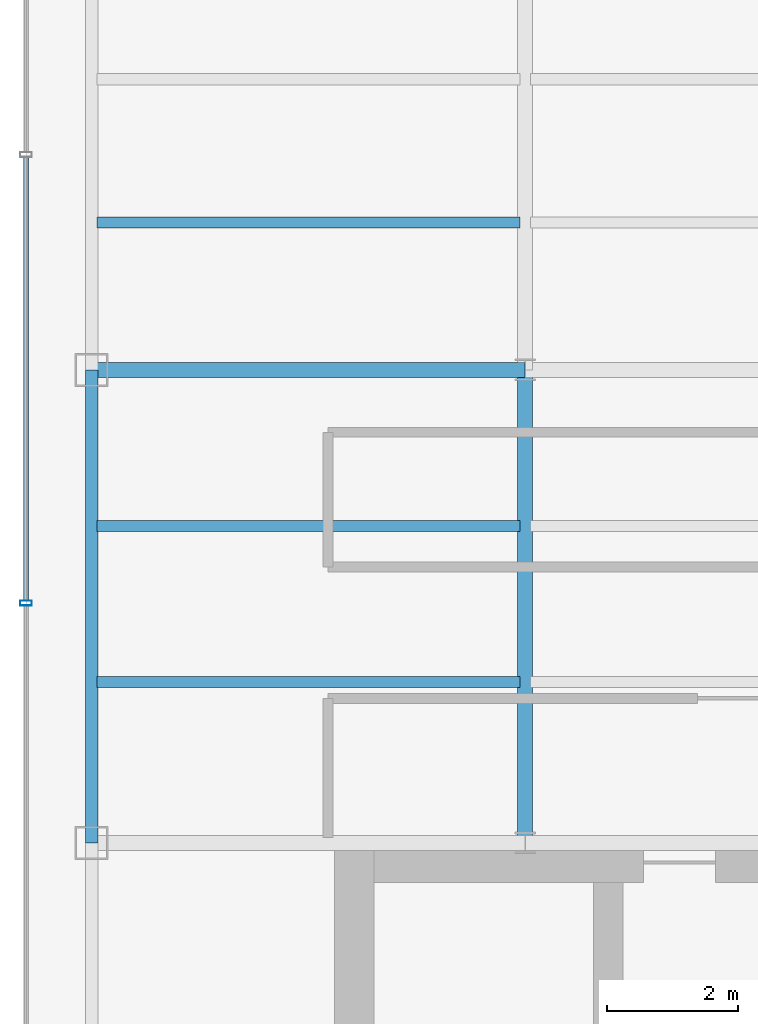
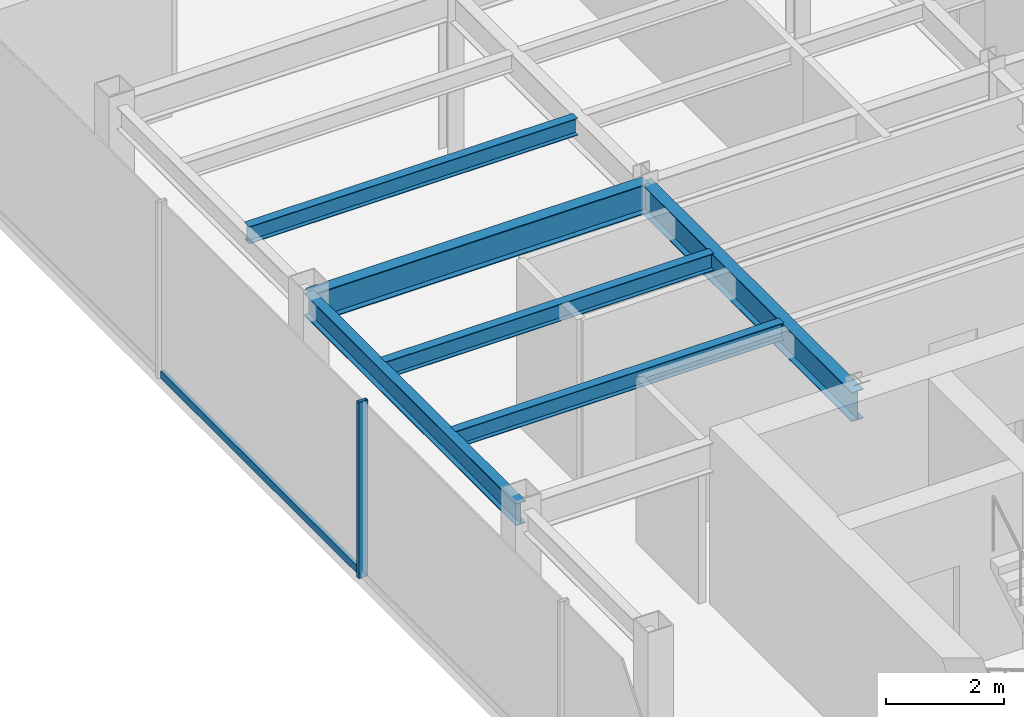
# One storey, part 5 of 22: 6 beams, 2 members, 1 element without a shape of its own.
"""IFC4 building model written with IfcOpenShell, lengths in metres."""

import ifcopenshell
import ifcopenshell.guid

model = None  # the IFC model being written
_history = None  # IfcOwnerHistory: only IFC2X3 demands one
_inside = {}  # id of a spatial element -> (the spatial element, [elements in it])
_under = {}  # id of a project, library or spatial element -> (it, [spatial elements below it])
_declared = {}  # id of a project -> (the project, [libraries it declares])
_typed = {}  # id of a type object -> (the type object, [elements of that type])
_made_of = {}  # id of a material, layer set ... -> (it, [elements and type objects made of it])


def new_model(schema):
    """Start an empty IFC model of exactly this schema.

    Asked for "IFC4X3", IfcOpenShell would pick the latest addendum, in which some entities
    have other attributes; the version numbers below select the first issue.
    IFC2X3 requires an IfcOwnerHistory on every rooted entity: one is made here for all.
    """
    global model, _history
    if schema == "IFC4X3":
        model = ifcopenshell.file(schema_version=(4, 3, 0, 0))
    else:
        model = ifcopenshell.file(schema=schema)
    _inside.clear()
    _under.clear()
    _declared.clear()
    _typed.clear()
    _made_of.clear()
    _history = None
    if model.schema == "IFC2X3":
        org = make("IfcOrganization", Name="unknown")
        user = make(
            "IfcPersonAndOrganization",
            ThePerson=make("IfcPerson", FamilyName="unknown"),
            TheOrganization=org,
        )
        app = make(
            "IfcApplication",
            ApplicationDeveloper=org,
            Version="unknown",
            ApplicationFullName="unknown",
            ApplicationIdentifier="unknown",
        )
        _history = make(
            "IfcOwnerHistory",
            OwningUser=user,
            OwningApplication=app,
            ChangeAction="ADDED",
            CreationDate=0,
        )
    return model


def make(cls, **values):
    """One entity of the class cls with the attributes given. An attribute that is None is left unset."""
    return model.create_entity(
        cls, **{name: value for name, value in values.items() if value is not None}
    )


def rooted(cls, **values):
    """An entity with a GlobalId (a new one), such as an element, a storey or a relation."""
    return make(cls, GlobalId=ifcopenshell.guid.new(), OwnerHistory=_history, **values)


def si_unit(unit_type, name, prefix=None):
    """IfcSIUnit, for example si_unit("LENGTHUNIT", "METRE", prefix="MILLI")."""
    return make("IfcSIUnit", UnitType=unit_type, Prefix=prefix, Name=name)


def derived_unit(unit_type, elements):
    """IfcDerivedUnit: a product of units, each with its exponent."""
    return make(
        "IfcDerivedUnit",
        Elements=[
            make("IfcDerivedUnitElement", Unit=unit, Exponent=power)
            for unit, power in elements
        ],
        UnitType=unit_type,
    )


def assignment(units):
    """IfcUnitAssignment: the units of a project."""
    return None if units is None else make("IfcUnitAssignment", Units=units)


def point(xyz):
    """IfcCartesianPoint."""
    return None if xyz is None else make("IfcCartesianPoint", Coordinates=xyz)


def direction(xyz):
    """IfcDirection."""
    return None if xyz is None else make("IfcDirection", DirectionRatios=xyz)


def frame(location, z_axis=None, x_axis=None):
    """IfcAxis2Placement3D, a coordinate frame: its origin and axes. An axis left out is left unset."""
    return make(
        "IfcAxis2Placement3D",
        Location=point(location),
        Axis=direction(z_axis),
        RefDirection=direction(x_axis),
    )


def frame_2d(location, x_axis=None):
    """IfcAxis2Placement2D, a coordinate frame in the plane: its origin and x axis."""
    return make(
        "IfcAxis2Placement2D", Location=point(location), RefDirection=direction(x_axis)
    )


def origin():
    """The frame at (0, 0, 0) with its axes left unset."""
    return frame((0.0, 0.0, 0.0))


def origin_2d():
    """The frame at (0, 0) in the plane with its x axis left unset."""
    return frame_2d((0.0, 0.0))


def place(relative_to, where):
    """IfcLocalPlacement: puts the frame where relative to a parent placement (None: the world)."""
    return make(
        "IfcLocalPlacement", PlacementRelTo=relative_to, RelativePlacement=where
    )


def context(
    kind, dimensions, precision=None, world=None, true_north=None, identifier=None
):
    """IfcGeometricRepresentationContext, for example the 3D "Model" context."""
    return make(
        "IfcGeometricRepresentationContext",
        ContextIdentifier=identifier,
        ContextType=kind,
        CoordinateSpaceDimension=dimensions,
        Precision=precision,
        WorldCoordinateSystem=world,
        TrueNorth=true_north,
    )


def subcontext(parent, identifier, kind, view, scale=None):
    """IfcGeometricRepresentationSubContext, for example "Body" below "Model"."""
    return make(
        "IfcGeometricRepresentationSubContext",
        ContextIdentifier=identifier,
        ContextType=kind,
        ParentContext=parent,
        TargetScale=scale,
        TargetView=view,
    )


def project(units=None, contexts=None):
    """IfcProject with its units and contexts."""
    return rooted(
        "IfcProject",
        Name="project",
        RepresentationContexts=contexts,
        UnitsInContext=assignment(units),
    )


def spatial(cls, under=None, at=None, **own):
    """A site, building, storey or space (cls), placed at a placement, below another one or the project."""
    s = rooted(cls, ObjectPlacement=at, **own)
    if under is not None:
        _under.setdefault(under.id(), (under, []))[1].append(s)
    return s


def profile(cls, at=None, kind="AREA", **sizes):
    """A parametric profile (cls). Its sizes go by their IFC names, for example OverallWidth=200.0."""
    return make(cls, ProfileType=kind, Position=at, **sizes)


def hollow_rectangle(**sizes):
    """IfcRectangleHollowProfileDef."""
    return profile("IfcRectangleHollowProfileDef", **sizes)


def i_section(**sizes):
    """IfcIShapeProfileDef."""
    return profile("IfcIShapeProfileDef", **sizes)


def extrude(swept, where, along, depth):
    """IfcExtrudedAreaSolid: the profile swept, set in the frame where, extruded along a direction by depth."""
    return make(
        "IfcExtrudedAreaSolid",
        SweptArea=swept,
        Position=where,
        ExtrudedDirection=direction(along),
        Depth=depth,
    )


def shape(context_of_items, identifier, shape_type, items):
    """IfcShapeRepresentation: the items that make up one representation, for example the "Body"."""
    return make(
        "IfcShapeRepresentation",
        ContextOfItems=context_of_items,
        RepresentationIdentifier=identifier,
        RepresentationType=shape_type,
        Items=items,
    )


def source(mapping_origin, context_of_items, identifier, shape_type, items):
    """IfcRepresentationMap: a shape defined once, which mapped items show again and again."""
    return make(
        "IfcRepresentationMap",
        MappingOrigin=mapping_origin,
        MappedRepresentation=shape(context_of_items, identifier, shape_type, items),
    )


def transform(
    local_origin,
    x_axis=None,
    y_axis=None,
    z_axis=None,
    scale=None,
    scale2=None,
    scale3=None,
    uniform=True,
):
    """IfcCartesianTransformationOperator3D, or its non-uniform kind. x_axis, y_axis, z_axis: its Axis1, 2, 3."""
    if uniform:
        return make(
            "IfcCartesianTransformationOperator3D",
            Axis1=direction(x_axis),
            Axis2=direction(y_axis),
            LocalOrigin=point(local_origin),
            Scale=scale,
            Axis3=direction(z_axis),
        )
    return make(
        "IfcCartesianTransformationOperator3DnonUniform",
        Axis1=direction(x_axis),
        Axis2=direction(y_axis),
        LocalOrigin=point(local_origin),
        Scale=scale,
        Axis3=direction(z_axis),
        Scale2=scale2,
        Scale3=scale3,
    )


def mapped(mapping_source, mapping_target):
    """IfcMappedItem: shows the shape of a source again, moved by a transform."""
    return make(
        "IfcMappedItem", MappingSource=mapping_source, MappingTarget=mapping_target
    )


def material(Name=None, Category=None):
    """IfcMaterial."""
    return make("IfcMaterial", Name=Name, Category=Category)


def material_profile(
    of_material, cross_section, Name=None, Category=None, Priority=None
):
    """IfcMaterialProfile: a cross section and its material."""
    return make(
        "IfcMaterialProfile",
        Name=Name,
        Material=of_material,
        Profile=cross_section,
        Priority=Priority,
        Category=Category,
    )


def profile_set(profiles, Name=None, composite=None):
    """IfcMaterialProfileSet."""
    return make(
        "IfcMaterialProfileSet",
        Name=Name,
        MaterialProfiles=profiles,
        CompositeProfile=composite,
    )


def made_of(thing, what):
    """Note that an element or type object is made of a material, layer set ...; save() writes the relation."""
    if what is not None:
        _made_of.setdefault(what.id(), (what, []))[1].append(thing)
    return thing


def type_object(cls, material=None, **own):
    """A type object (cls), such as IfcWallType, which elements share."""
    return made_of(rooted(cls, **own), material)


def element(
    cls,
    number,
    at=None,
    inside=None,
    cuts=None,
    type_object=None,
    material=None,
    context=None,
    identifier="Body",
    shape_type=None,
    held_by="IfcProductDefinitionShape",
    body=None,
    shapes=None,
    **own,
):
    """One element of the class cls, such as IfcWall. Its Tag is "e" and its number.

    at: its placement. inside: the storey or other place that contains it. cuts: it is an
    opening in that element (IfcRelVoidsElement). A single representation is given by context,
    identifier, shape_type and body (its items); several are given by shapes. held_by: the class
    of the entity that holds the representations. save() writes the other relations.
    """
    e = rooted(cls, Tag="e%d" % number, ObjectPlacement=at, **own)
    if body is not None:
        shapes = [shape(context, identifier, shape_type, body)]
    if shapes is not None:
        e.Representation = make(held_by, Representations=shapes)
    if inside is not None:
        _inside.setdefault(inside.id(), (inside, []))[1].append(e)
    if cuts is not None:
        rooted(
            "IfcRelVoidsElement", RelatingBuildingElement=cuts, RelatedOpeningElement=e
        )
    if type_object is not None:
        _typed.setdefault(type_object.id(), (type_object, []))[1].append(e)
    return made_of(e, material)


def aggregate(whole, parts):
    """IfcRelAggregates: a whole, such as a stair, and the parts it consists of."""
    return rooted("IfcRelAggregates", RelatingObject=whole, RelatedObjects=parts)


def save(model, path):
    """Write the relations noted so far, then the file.

    IfcRelAggregates (storeys below a building ...), IfcRelContainedInSpatialStructure (elements
    in a storey), IfcRelDefinesByType, IfcRelAssociatesMaterial and IfcRelDeclares: one each for
    every whole, place, type object, material and project.
    """
    for whole, parts in _under.values():
        aggregate(whole, parts)
    for where, things in _inside.values():
        rooted(
            "IfcRelContainedInSpatialStructure",
            RelatedElements=things,
            RelatingStructure=where,
        )
    for kind, things in _typed.values():
        rooted("IfcRelDefinesByType", RelatedObjects=things, RelatingType=kind)
    for what, things in _made_of.values():
        rooted("IfcRelAssociatesMaterial", RelatedObjects=things, RelatingMaterial=what)
    for by, libraries in _declared.values():
        rooted("IfcRelDeclares", RelatingContext=by, RelatedDefinitions=libraries)
    model.write(path)


model = new_model("IFC4")

# Units and contexts
model_context = context("Model", 3, precision=1e-05, world=origin(), true_north=direction((0.0, 1.0)))
body_context = subcontext(model_context, "Body", "Model", "MODEL_VIEW")
ifc_project = project(units=[si_unit("LENGTHUNIT", "METRE"), si_unit("AREAUNIT", "SQUARE_METRE"), si_unit("VOLUMEUNIT", "CUBIC_METRE"), si_unit("PLANEANGLEUNIT", "RADIAN"), si_unit("MASSUNIT", "GRAM", prefix="KILO"), derived_unit("THERMALTRANSMITTANCEUNIT", [(si_unit("POWERUNIT", "WATT"), 1), (si_unit("LENGTHUNIT", "METRE"), -2), (si_unit("THERMODYNAMICTEMPERATUREUNIT", "KELVIN"), -1)])], contexts=[model_context])

# Site, building, storey
site_placement = place(None, origin())
site = spatial("IfcSite", under=ifc_project, at=site_placement, CompositionType="ELEMENT")
building_placement = place(site_placement, origin())
building = spatial("IfcBuilding", under=site, at=building_placement, Name="Skarnbrae Concourse Arena and Tower", CompositionType="ELEMENT")
storey_placement = place(building_placement, frame((0.0, 0.0, 228.75)))
storey = spatial("IfcBuildingStorey", under=building, at=storey_placement, Name="L59", CompositionType="ELEMENT", Elevation=228.75)

# Beams
ifc_material_1 = material(Name="Steel CSA G40.21 350W", Category="steel")
ifc_material_profile_1 = material_profile(ifc_material_1, i_section(OverallWidth=0.22802734375, OverallDepth=0.60791015625, WebThickness=0.01123046875, FlangeThickness=0.017333984375, at=origin_2d()), Name="W610X113")
ifc_profile_set_1 = profile_set([ifc_material_profile_1], Name="Steel CSA G40.21 350W")
beam_type_1 = type_object("IfcBeamType", Name="BM-GIRD-W610X113", PredefinedType="BEAM", material=ifc_profile_set_1)
shared_shape_1 = source(origin(), body_context, "Body", "SweptSolid", [
    extrude(i_section(OverallWidth=0.22802734375, OverallDepth=0.60791015625, WebThickness=0.01123046875, FlangeThickness=0.017333984375, at=origin_2d()), origin(), (0.0, 0.0, 1.0), 6.60009765625),
])
beam_1_placement = place(storey_placement, frame((1.0, 21.199951171875, 3.095947265625), z_axis=(1.0, 0.0, 0.0), x_axis=(0.0, 1.0, 0.0)))
element("IfcBeam", 1, at=beam_1_placement, inside=storey, type_object=beam_type_1, Name="L59 Primary E-W girder Y21.2-1", PredefinedType="BEAM", context=body_context, shape_type="MappedRepresentation", body=[
    mapped(shared_shape_1, transform((0.0, 0.0, 0.0))),
])
ifc_material_profile_2 = material_profile(ifc_material_1, i_section(OverallWidth=0.19091796875, OverallDepth=0.4599609375, WebThickness=0.010009765625, FlangeThickness=0.01611328125, at=origin_2d()), Name="W460X82")
ifc_profile_set_2 = profile_set([ifc_material_profile_2], Name="Steel CSA G40.21 350W")
beam_type_2 = type_object("IfcBeamType", Name="BM-SPAN-W460X82", PredefinedType="SPANDREL", material=ifc_profile_set_2)
shared_shape_2 = source(origin(), body_context, "Body", "SweptSolid", [
    extrude(i_section(OverallWidth=0.19091796875, OverallDepth=0.4599609375, WebThickness=0.010009765625, FlangeThickness=0.01611328125, at=origin_2d()), origin(), (0.0, 0.0, 1.0), 7.199951171875),
])
beam_2_placement = place(storey_placement, frame((1.0, 14.0, 3.169921875), z_axis=(0.0, 1.0, 0.0), x_axis=(-1.0, 0.0, 0.0)))
element("IfcBeam", 2, at=beam_2_placement, inside=storey, type_object=beam_type_2, Name="L59 Perimeter spandrel X1.0-2", PredefinedType="SPANDREL", context=body_context, shape_type="MappedRepresentation", body=[
    mapped(shared_shape_2, transform((0.0, 0.0, 0.0))),
])
shared_shape_3 = source(origin(), body_context, "Body", "SweptSolid", [
    extrude(i_section(OverallWidth=0.22802734375, OverallDepth=0.60791015625, WebThickness=0.01123046875, FlangeThickness=0.017333984375, at=origin_2d()), origin(), (0.0, 0.0, 1.0), 7.199951171875),
])
beam_3_placement = place(storey_placement, frame((7.60009765625, 14.0, 3.095947265625), z_axis=(0.0, 1.0, 0.0), x_axis=(-1.0, 0.0, 0.0)))
element("IfcBeam", 3, at=beam_3_placement, inside=storey, type_object=beam_type_1, Name="L59 Primary N-S girder X7.6-1", PredefinedType="BEAM", context=body_context, shape_type="MappedRepresentation", body=[
    mapped(shared_shape_3, transform((0.0, 0.0, 0.0))),
])
ifc_material_profile_3 = material_profile(ifc_material_1, i_section(OverallWidth=0.1708984375, OverallDepth=0.35498046875, WebThickness=0.007080078125, FlangeThickness=0.01171875, at=origin_2d()), Name="W360X51")
ifc_profile_set_3 = profile_set([ifc_material_profile_3], Name="Steel CSA G40.21 350W")
beam_type_3 = type_object("IfcBeamType", Name="BM-JOIST-W360X51", PredefinedType="JOIST", material=ifc_profile_set_3)
shared_shape_4 = source(origin(), body_context, "Body", "SweptSolid", [
    extrude(i_section(OverallWidth=0.1708984375, OverallDepth=0.35498046875, WebThickness=0.007080078125, FlangeThickness=0.01171875, at=origin_2d()), origin(), (0.0, 0.0, 1.0), 6.43994140625),
])
for number, where, z_axis, x_axis, name in (
    (4, (1.080078125, 16.447998046875, 3.222412109375), (1.0, 0.0, 0.0), (0.0, 1.0, 0.0), "L59 Secondary floor joist 1.1.1"),
    (5, (1.080078125, 18.823974609375, 3.222412109375), (1.0, 0.0, 0.0), (0.0, 1.0, 0.0), "L59 Secondary floor joist 1.2.1"),
    (6, (1.080078125, 23.444091796875, 3.222412109375), (1.0, 0.0, 0.0), (0.0, 1.0, 0.0), "L59 Secondary floor joist 2.1.1"),
):
    element("IfcBeam", number, at=place(storey_placement, frame(where, z_axis=z_axis, x_axis=x_axis)), inside=storey, type_object=beam_type_3, Name=name, PredefinedType="JOIST", context=body_context, shape_type="MappedRepresentation", body=[
        mapped(shared_shape_4, transform((0.0, 0.0, 0.0))),
    ])

# Curtain wall, members
ifc_material_2 = material(Name="Bronze anodised aluminium 6063-T6", Category="aluminium")
curtain_wall_type = type_object("IfcCurtainWallType", Name="CW-SYS-05-HIGHZONE", PredefinedType="USERDEFINED", material=ifc_material_2)
curtain_wall_placement = place(storey_placement, origin())
curtain_wall = element("IfcCurtainWall", 7, at=curtain_wall_placement, inside=storey, type_object=curtain_wall_type, Name="L59 Unitised curtain wall CW-L59-E18", ObjectType="UNITISED CURTAIN WALL", PredefinedType="USERDEFINED")
ifc_material_profile_4 = material_profile(ifc_material_2, hollow_rectangle(XDim=0.074951171875, YDim=0.179931640625, WallThickness=0.00390625, at=origin_2d()), Name="ALU-MULL-75X180")
ifc_profile_set_4 = profile_set([ifc_material_profile_4], Name="Bronze anodised aluminium 6063-T6")
member_type_1 = type_object("IfcMemberType", Name="CWM-CW-05", PredefinedType="MULLION", material=ifc_profile_set_4)
shared_shape_5 = source(origin(), body_context, "Body", "SweptSolid", [
    extrude(hollow_rectangle(XDim=0.074951171875, YDim=0.179931640625, WallThickness=0.00390625, at=origin_2d()), origin(), (0.0, 0.0, 1.0), 3.64990234375),
])
member_1_placement = place(storey_placement, frame((0.0, 17.64990234375, 0.0), z_axis=(0.0, 0.0, 1.0), x_axis=(0.0, -1.0, 0.0)))
member_1 = element("IfcMember", 8, at=member_1_placement, type_object=member_type_1, Name="CW-L59-E18 Mullion 3", PredefinedType="MULLION", context=body_context, shape_type="MappedRepresentation", body=[
    mapped(shared_shape_5, transform((0.0, 0.0, 0.0))),
])
ifc_material_profile_5 = material_profile(ifc_material_2, hollow_rectangle(XDim=0.074951171875, YDim=0.14990234375, WallThickness=0.00390625, at=origin_2d()), Name="ALU-TRAN-75X150")
ifc_profile_set_5 = profile_set([ifc_material_profile_5], Name="Bronze anodised aluminium 6063-T6")
member_type_2 = type_object("IfcMemberType", Name="CWT-CW-05", PredefinedType="USERDEFINED", material=ifc_profile_set_5)
shared_shape_6 = source(origin(), body_context, "Body", "SweptSolid", [
    extrude(hollow_rectangle(XDim=0.074951171875, YDim=0.14990234375, WallThickness=0.00390625, at=origin_2d()), origin(), (0.0, 0.0, 1.0), 6.75),
])
member_2_placement = place(storey_placement, frame((0.0, 24.4375, 0.074951171875), z_axis=(0.0, -1.0, 0.0), x_axis=(1.0, 0.0, 0.0)))
member_2 = element("IfcMember", 9, at=member_2_placement, type_object=member_type_2, Name="CW-L59-E18 Transom 2", ObjectType="TRANSOM", PredefinedType="USERDEFINED", context=body_context, shape_type="MappedRepresentation", body=[
    mapped(shared_shape_6, transform((0.0, 0.0, 0.0))),
])
aggregate(curtain_wall, [member_1, member_2])

save(model, "model.ifc")
